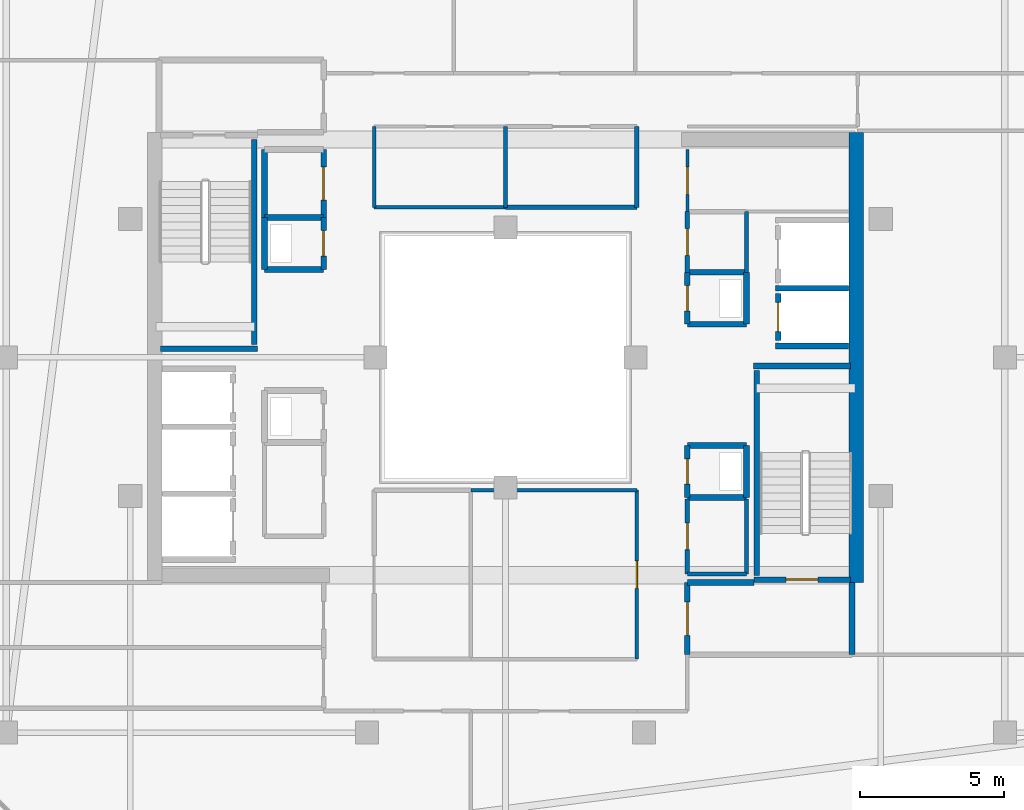
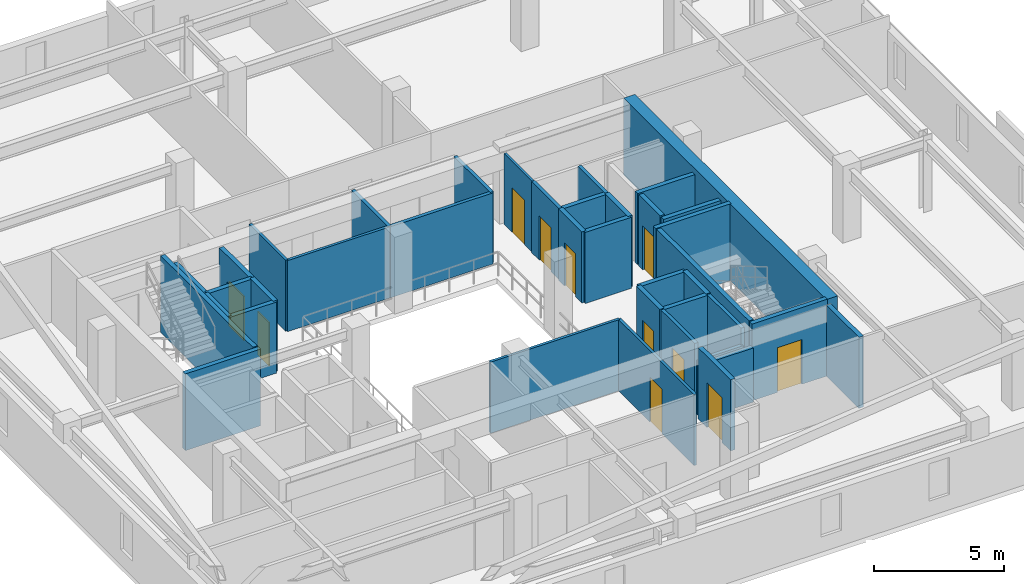
# One storey, part 26 of 35: 39 walls, 11 doors, 11 openings.
"""IFC4 building model written with IfcOpenShell, lengths in metres."""

from ifc_helpers import new_model, si_unit, direction, frame, frame_2d, origin, place, context, subcontext, project, spatial, rectangle, extrude, material, layer, layer_set, type_object, element, fill, save


model = new_model("IFC4")

# Units and contexts
model_context = context("Model", 3, precision=1e-05, world=origin(), true_north=direction((0.0, 1.0)))
body_context = subcontext(model_context, "Body", "Model", "MODEL_VIEW")
ifc_project = project(units=[si_unit("LENGTHUNIT", "METRE"), si_unit("AREAUNIT", "SQUARE_METRE"), si_unit("VOLUMEUNIT", "CUBIC_METRE"), si_unit("PLANEANGLEUNIT", "RADIAN"), si_unit("MASSUNIT", "GRAM", prefix="KILO")], contexts=[model_context])

# Site, building, storey
site_placement = place(None, origin())
site = spatial("IfcSite", under=ifc_project, at=site_placement, CompositionType="ELEMENT")
building_placement = place(site_placement, origin())
building = spatial("IfcBuilding", under=site, at=building_placement, Name="Thornwick Lancets Civic Towers", CompositionType="ELEMENT")
storey_placement = place(building_placement, frame((0.0, 0.0, 269.10009765625)))
storey = spatial("IfcBuildingStorey", under=building, at=storey_placement, Name="L72", CompositionType="ELEMENT", Elevation=269.10009765625)

# Wall, opening, door
ifc_material_1 = material(Name="Concrete blockwork C40/50", Category="masonry")
ifc_layer_1 = layer(ifc_material_1, 0.199951171875, Name="Concrete blockwork C40/50")
ifc_layer_set_1 = layer_set([ifc_layer_1], Name="Concrete blockwork C40/50")
wall_type_1 = type_object("IfcWallType", Name="WALL_COMP_200", PredefinedType="STANDARD", material=ifc_layer_set_1)
wall_1_placement = place(storey_placement, frame((97.949951171875, 29.219970703125, 0.0), z_axis=(0.0, 0.0, 1.0), x_axis=(0.0, -1.0, 0.0)))
wall_1 = element("IfcWall", 1, at=wall_1_placement, inside=storey, type_object=wall_type_1, Name="L72 Hoistway Front Wall FL-B1", PredefinedType="STANDARD", context=body_context, shape_type="SweptSolid", body=[
    extrude(rectangle(XDim=1.639892578125, YDim=0.199951171875, at=frame_2d((0.81982421875, 0.0))), origin(), (0.0, 0.0, 1.0), 3.33984375),
])
opening_1_placement = place(wall_1_placement, frame((0.31005859375, 0.0, 0.0)))
opening_1 = element("IfcOpeningElement", 2, at=opening_1_placement, cuts=wall_1, Name="Opening LD-FL-B1", PredefinedType="OPENING", context=body_context, shape_type="SweptSolid", body=[
    extrude(rectangle(XDim=1.02001953125, YDim=2.06005859375, at=frame_2d((0.510009765625, 1.030029296875))), frame((0.0, 0.10986328125, 0.0), z_axis=(0.0, -1.0, 0.0), x_axis=(1.0, 0.0, 0.0)), (0.0, 0.0, 1.0), 0.219970703125),
])
ifc_material_2 = material(Name="Brushed bronze stainless steel", Category="steel")
door_type_1 = type_object("IfcDoorType", Name="DOOR_LIFT_SLIDE", OperationType="SLIDING_TO_LEFT", PredefinedType="DOOR", material=ifc_material_2)
door_1_placement = place(opening_1_placement, origin())
door_1 = element("IfcDoor", 3, at=door_1_placement, inside=storey, type_object=door_type_1, Name="L72 Sliding Lift Landing Door LD-FL-B1", OperationType="SLIDING_TO_LEFT", OverallHeight=2.06005859375, OverallWidth=1.02001953125, PredefinedType="DOOR", context=body_context, shape_type="SweptSolid", body=[
    extrude(rectangle(XDim=1.02001953125, YDim=2.06005859375, at=frame_2d((0.510009765625, 1.030029296875))), frame((0.0, 0.02490234375, 0.0), z_axis=(0.0, -1.0, 0.0), x_axis=(1.0, 0.0, 0.0)), (0.0, 0.0, 1.0), 0.050048828125),
])
fill(opening_1, door_1)

# Walls
for number, where, z_axis, x_axis, name in (
    (4, (97.85205078125, 29.39990234375, 0.0), (0.0, 0.0, 1.0), (1.0, 0.0, 0.0), "L72 Hoistway Shaft Wall FL-B1 N"),
    (5, (97.85205078125, 27.39990234375, 0.0), (0.0, 0.0, 1.0), (1.0, 0.0, 0.0), "L72 Hoistway Shaft Wall FL-B1 S"),
):
    element("IfcWall", number, at=place(storey_placement, frame(where, z_axis=z_axis, x_axis=x_axis)), inside=storey, type_object=wall_type_1, Name=name, PredefinedType="STANDARD", context=body_context, shape_type="SweptSolid", body=[
        extrude(rectangle(XDim=2.535888671875, YDim=0.199951171875, at=frame_2d((1.26806640625, 0.0))), origin(), (0.0, 0.0, 1.0), 3.33984375),
    ])
wall_2_placement = place(storey_placement, frame((100.5, 16.699951171875, 0.0), z_axis=(0.0, 0.0, 1.0), x_axis=(0.0, 1.0, 0.0)))
element("IfcWall", 6, at=wall_2_placement, inside=storey, type_object=wall_type_1, Name="L72 Partition L72-B-FFLOB1 E2", PredefinedType="STANDARD", context=body_context, shape_type="SweptSolid", body=[
    extrude(rectangle(XDim=2.5, YDim=0.199951171875, at=frame_2d((1.25, 0.0))), origin(), (0.0, 0.0, 1.0), 3.33984375),
])
wall_3_placement = place(storey_placement, frame((97.10009765625, 19.199951171875, 0.0), z_axis=(0.0, 0.0, 1.0), x_axis=(-1.0, 0.0, 0.0)))
element("IfcWall", 7, at=wall_3_placement, inside=storey, type_object=wall_type_1, Name="L72 Partition L72-B-FFLOB1 E3", PredefinedType="STANDARD", context=body_context, shape_type="SweptSolid", body=[
    extrude(rectangle(XDim=2.300048828125, YDim=0.199951171875, at=frame_2d((1.14990234375, 0.0))), origin(), (0.0, 0.0, 1.0), 2.544921875),
])

# Wall, opening, door
wall_4_placement = place(storey_placement, frame((94.800048828125, 19.199951171875, 0.0), z_axis=(0.0, 0.0, 1.0), x_axis=(0.0, -1.0, 0.0)))
wall_4 = element("IfcWall", 8, at=wall_4_placement, inside=storey, type_object=wall_type_1, Name="L72 Partition L72-B-FFLOB1 E4", PredefinedType="STANDARD", context=body_context, shape_type="SweptSolid", body=[
    extrude(rectangle(XDim=2.5, YDim=0.199951171875, at=frame_2d((1.25, 0.0))), origin(), (0.0, 0.0, 1.0), 3.33984375),
])
opening_2_placement = place(wall_4_placement, frame((0.675048828125, 0.0, 0.0)))
opening_2 = element("IfcOpeningElement", 9, at=opening_2_placement, cuts=wall_4, Name="Opening D-L72-3288", PredefinedType="OPENING", context=body_context, shape_type="SweptSolid", body=[
    extrude(rectangle(XDim=1.14990234375, YDim=2.10009765625, at=frame_2d((0.574951171875, 1.050048828125))), frame((0.0, 0.10986328125, 0.0), z_axis=(0.0, -1.0, 0.0), x_axis=(1.0, 0.0, 0.0)), (0.0, 0.0, 1.0), 0.219970703125),
])
ifc_material_3 = material(Name="Glazed fire-resisting steel", Category="steel")
door_type_2 = type_object("IfcDoorType", Name="DOOR_LOBBY_FD60", OperationType="NOTDEFINED", PredefinedType="DOOR", material=ifc_material_3)
door_2_placement = place(opening_2_placement, origin())
door_2 = element("IfcDoor", 10, at=door_2_placement, inside=storey, type_object=door_type_2, Name="L72 East Firefighting Lobby 1 Door", OperationType="SINGLE_SWING_LEFT", OverallHeight=2.10009765625, OverallWidth=1.14990234375, PredefinedType="DOOR", context=body_context, shape_type="SweptSolid", body=[
    extrude(rectangle(XDim=1.14990234375, YDim=2.10009765625, at=frame_2d((0.574951171875, 1.050048828125))), frame((0.0, 0.02490234375, 0.0), z_axis=(0.0, -1.0, 0.0), x_axis=(1.0, 0.0, 0.0)), (0.0, 0.0, 1.0), 0.050048828125),
])
fill(opening_2, door_2)

# Walls
wall_5_placement = place(storey_placement, frame((94.800048828125, 28.14990234375, 0.0), z_axis=(0.0, 0.0, 1.0), x_axis=(1.0, 0.0, 0.0)))
element("IfcWall", 11, at=wall_5_placement, inside=storey, type_object=wall_type_1, Name="L72 Partition L72-B-DUCT1 E1", PredefinedType="STANDARD", context=body_context, shape_type="SweptSolid", body=[
    extrude(rectangle(XDim=2.050048828125, YDim=0.199951171875, at=frame_2d((1.02490234375, 0.0))), origin(), (0.0, 0.0, 1.0), 3.33984375),
])
wall_6_placement = place(storey_placement, frame((96.85009765625, 28.14990234375, 0.0), z_axis=(0.0, 0.0, 1.0), x_axis=(0.0, 1.0, 0.0)))
element("IfcWall", 12, at=wall_6_placement, inside=storey, type_object=wall_type_1, Name="L72 Partition L72-B-DUCT1 E2", PredefinedType="STANDARD", context=body_context, shape_type="SweptSolid", body=[
    extrude(rectangle(XDim=1.800048828125, YDim=0.199951171875, at=frame_2d((0.89990234375, 0.0))), origin(), (0.0, 0.0, 1.0), 3.33984375),
])
wall_7_placement = place(storey_placement, frame((96.85009765625, 29.949951171875, 0.0), z_axis=(0.0, 0.0, 1.0), x_axis=(-1.0, 0.0, 0.0)))
element("IfcWall", 13, at=wall_7_placement, inside=storey, type_object=wall_type_1, Name="L72 Partition L72-B-DUCT1 E3", PredefinedType="STANDARD", context=body_context, shape_type="SweptSolid", body=[
    extrude(rectangle(XDim=2.050048828125, YDim=0.199951171875, at=frame_2d((1.02490234375, 0.0))), origin(), (0.0, 0.0, 1.0), 3.33984375),
])

# Wall, opening, door
wall_8_placement = place(storey_placement, frame((94.800048828125, 29.949951171875, 0.0), z_axis=(0.0, 0.0, 1.0), x_axis=(0.0, -1.0, 0.0)))
wall_8 = element("IfcWall", 14, at=wall_8_placement, inside=storey, type_object=wall_type_1, Name="L72 Partition L72-B-DUCT1 E4", PredefinedType="STANDARD", context=body_context, shape_type="SweptSolid", body=[
    extrude(rectangle(XDim=1.800048828125, YDim=0.199951171875, at=frame_2d((0.89990234375, 0.0))), origin(), (0.0, 0.0, 1.0), 3.33984375),
])
opening_3_placement = place(wall_8_placement, frame((0.4599609375, 0.0, 0.0)))
opening_3 = element("IfcOpeningElement", 15, at=opening_3_placement, cuts=wall_8, Name="Opening D-L72-3290", PredefinedType="OPENING", context=body_context, shape_type="SweptSolid", body=[
    extrude(rectangle(XDim=0.8798828125, YDim=2.0400390625, at=frame_2d((0.43994140625, 1.02001953125))), frame((0.0, 0.10986328125, 0.0), z_axis=(0.0, -1.0, 0.0), x_axis=(1.0, 0.0, 0.0)), (0.0, 0.0, 1.0), 0.219970703125),
])
ifc_material_4 = material(Name="Steel riser access doorset", Category="steel")
door_type_3 = type_object("IfcDoorType", Name="DOOR_RISER_850", OperationType="NOTDEFINED", PredefinedType="DOOR", material=ifc_material_4)
door_3_placement = place(opening_3_placement, origin())
door_3 = element("IfcDoor", 16, at=door_3_placement, inside=storey, type_object=door_type_3, Name="L72 East Service Duct 1 Door", OperationType="SINGLE_SWING_LEFT", OverallHeight=2.0400390625, OverallWidth=0.8798828125, PredefinedType="DOOR", context=body_context, shape_type="SweptSolid", body=[
    extrude(rectangle(XDim=0.8798828125, YDim=2.0400390625, at=frame_2d((0.43994140625, 1.02001953125))), frame((0.0, 0.02490234375, 0.0), z_axis=(0.0, -1.0, 0.0), x_axis=(1.0, 0.0, 0.0)), (0.0, 0.0, 1.0), 0.050048828125),
])
fill(opening_3, door_3)

# Walls
wall_9_placement = place(storey_placement, frame((94.800048828125, 22.14990234375, 0.0), z_axis=(0.0, 0.0, 1.0), x_axis=(1.0, 0.0, 0.0)))
element("IfcWall", 17, at=wall_9_placement, inside=storey, type_object=wall_type_1, Name="L72 Partition L72-B-RISER1 E1", PredefinedType="STANDARD", context=body_context, shape_type="SweptSolid", body=[
    extrude(rectangle(XDim=2.050048828125, YDim=0.199951171875, at=frame_2d((1.02490234375, 0.0))), origin(), (0.0, 0.0, 1.0), 3.33984375),
])
wall_10_placement = place(storey_placement, frame((96.85009765625, 22.14990234375, 0.0), z_axis=(0.0, 0.0, 1.0), x_axis=(0.0, 1.0, 0.0)))
element("IfcWall", 18, at=wall_10_placement, inside=storey, type_object=wall_type_1, Name="L72 Partition L72-B-RISER1 E2", PredefinedType="STANDARD", context=body_context, shape_type="SweptSolid", body=[
    extrude(rectangle(XDim=1.800048828125, YDim=0.199951171875, at=frame_2d((0.89990234375, 0.0))), origin(), (0.0, 0.0, 1.0), 3.33984375),
])
wall_11_placement = place(storey_placement, frame((96.85009765625, 23.949951171875, 0.0), z_axis=(0.0, 0.0, 1.0), x_axis=(-1.0, 0.0, 0.0)))
element("IfcWall", 19, at=wall_11_placement, inside=storey, type_object=wall_type_1, Name="L72 Partition L72-B-RISER1 E3", PredefinedType="STANDARD", context=body_context, shape_type="SweptSolid", body=[
    extrude(rectangle(XDim=2.050048828125, YDim=0.199951171875, at=frame_2d((1.02490234375, 0.0))), origin(), (0.0, 0.0, 1.0), 3.33984375),
])

# Wall, opening, door
wall_12_placement = place(storey_placement, frame((94.800048828125, 23.949951171875, 0.0), z_axis=(0.0, 0.0, 1.0), x_axis=(0.0, -1.0, 0.0)))
wall_12 = element("IfcWall", 20, at=wall_12_placement, inside=storey, type_object=wall_type_1, Name="L72 Partition L72-B-RISER1 E4", PredefinedType="STANDARD", context=body_context, shape_type="SweptSolid", body=[
    extrude(rectangle(XDim=1.800048828125, YDim=0.199951171875, at=frame_2d((0.89990234375, 0.0))), origin(), (0.0, 0.0, 1.0), 3.33984375),
])
opening_4_placement = place(wall_12_placement, frame((0.4599609375, 0.0, 0.0)))
opening_4 = element("IfcOpeningElement", 21, at=opening_4_placement, cuts=wall_12, Name="Opening D-L72-3291", PredefinedType="OPENING", context=body_context, shape_type="SweptSolid", body=[
    extrude(rectangle(XDim=0.8798828125, YDim=2.0400390625, at=frame_2d((0.43994140625, 1.02001953125))), frame((0.0, 0.10986328125, 0.0), z_axis=(0.0, -1.0, 0.0), x_axis=(1.0, 0.0, 0.0)), (0.0, 0.0, 1.0), 0.219970703125),
])
door_4_placement = place(opening_4_placement, origin())
door_4 = element("IfcDoor", 22, at=door_4_placement, inside=storey, type_object=door_type_3, Name="L72 East Electrical Riser 1 Door", OperationType="SINGLE_SWING_RIGHT", OverallHeight=2.0400390625, OverallWidth=0.8798828125, PredefinedType="DOOR", context=body_context, shape_type="SweptSolid", body=[
    extrude(rectangle(XDim=0.8798828125, YDim=2.0400390625, at=frame_2d((0.43994140625, 1.02001953125))), frame((0.0, 0.02490234375, 0.0), z_axis=(0.0, -1.0, 0.0), x_axis=(1.0, 0.0, 0.0)), (0.0, 0.0, 1.0), 0.050048828125),
])
fill(opening_4, door_4)

# Wall
wall_13_placement = place(storey_placement, frame((80.14990234375, 30.050048828125, 0.0), z_axis=(0.0, 0.0, 1.0), x_axis=(1.0, 0.0, 0.0)))
element("IfcWall", 23, at=wall_13_placement, inside=storey, type_object=wall_type_1, Name="L72 Partition L72-B-RISER2 E1", PredefinedType="STANDARD", context=body_context, shape_type="SweptSolid", body=[
    extrude(rectangle(XDim=2.050048828125, YDim=0.199951171875, at=frame_2d((1.02490234375, 0.0))), origin(), (0.0, 0.0, 1.0), 3.33984375),
])

# Wall, opening, door
wall_14_placement = place(storey_placement, frame((82.199951171875, 30.050048828125, 0.0), z_axis=(0.0, 0.0, 1.0), x_axis=(0.0, 1.0, 0.0)))
wall_14 = element("IfcWall", 24, at=wall_14_placement, inside=storey, type_object=wall_type_1, Name="L72 Partition L72-B-RISER2 E2", PredefinedType="STANDARD", context=body_context, shape_type="SweptSolid", body=[
    extrude(rectangle(XDim=1.800048828125, YDim=0.199951171875, at=frame_2d((0.89990234375, 0.0))), origin(), (0.0, 0.0, 1.0), 3.33984375),
])
opening_5_placement = place(wall_14_placement, frame((0.4599609375, 0.0, 0.0)))
opening_5 = element("IfcOpeningElement", 25, at=opening_5_placement, cuts=wall_14, Name="Opening D-L72-3293", PredefinedType="OPENING", context=body_context, shape_type="SweptSolid", body=[
    extrude(rectangle(XDim=0.8798828125, YDim=2.0400390625, at=frame_2d((0.43994140625, 1.02001953125))), frame((0.0, 0.10986328125, 0.0), z_axis=(0.0, -1.0, 0.0), x_axis=(1.0, 0.0, 0.0)), (0.0, 0.0, 1.0), 0.219970703125),
])
door_5_placement = place(opening_5_placement, origin())
door_5 = element("IfcDoor", 26, at=door_5_placement, inside=storey, type_object=door_type_3, Name="L72 West Service Riser 2 Door", OperationType="SINGLE_SWING_RIGHT", OverallHeight=2.0400390625, OverallWidth=0.8798828125, PredefinedType="DOOR", context=body_context, shape_type="SweptSolid", body=[
    extrude(rectangle(XDim=0.8798828125, YDim=2.0400390625, at=frame_2d((0.43994140625, 1.02001953125))), frame((0.0, 0.02490234375, 0.0), z_axis=(0.0, -1.0, 0.0), x_axis=(1.0, 0.0, 0.0)), (0.0, 0.0, 1.0), 0.050048828125),
])
fill(opening_5, door_5)

# Walls
wall_15_placement = place(storey_placement, frame((82.199951171875, 31.85009765625, 0.0), z_axis=(0.0, 0.0, 1.0), x_axis=(-1.0, 0.0, 0.0)))
element("IfcWall", 27, at=wall_15_placement, inside=storey, type_object=wall_type_1, Name="L72 Partition L72-B-RISER2 E3", PredefinedType="STANDARD", context=body_context, shape_type="SweptSolid", body=[
    extrude(rectangle(XDim=2.050048828125, YDim=0.199951171875, at=frame_2d((1.02490234375, 0.0))), origin(), (0.0, 0.0, 1.0), 3.33984375),
])
wall_16_placement = place(storey_placement, frame((80.14990234375, 31.85009765625, 0.0), z_axis=(0.0, 0.0, 1.0), x_axis=(0.0, -1.0, 0.0)))
element("IfcWall", 28, at=wall_16_placement, inside=storey, type_object=wall_type_1, Name="L72 Partition L72-B-RISER2 E4", PredefinedType="STANDARD", context=body_context, shape_type="SweptSolid", body=[
    extrude(rectangle(XDim=1.800048828125, YDim=0.199951171875, at=frame_2d((0.89990234375, 0.0))), origin(), (0.0, 0.0, 1.0), 3.33984375),
])
wall_17_placement = place(storey_placement, frame((80.14990234375, 31.85009765625, 0.0), z_axis=(0.0, 0.0, 1.0), x_axis=(0.0, 1.0, 0.0)))
element("IfcWall", 29, at=wall_17_placement, inside=storey, type_object=wall_type_1, Name="L72 Partition L72-B-STR E1", PredefinedType="STANDARD", context=body_context, shape_type="SweptSolid", body=[
    extrude(rectangle(XDim=2.349853515625, YDim=0.199951171875, at=frame_2d((1.1748046875, 0.0))), origin(), (0.0, 0.0, 1.0), 3.33984375),
])

# Wall, opening, door
wall_18_placement = place(storey_placement, frame((82.199951171875, 34.199951171875, 0.0), z_axis=(0.0, 0.0, 1.0), x_axis=(0.0, -1.0, 0.0)))
wall_18 = element("IfcWall", 30, at=wall_18_placement, inside=storey, type_object=wall_type_1, Name="L72 Partition L72-B-STR E3", PredefinedType="STANDARD", context=body_context, shape_type="SweptSolid", body=[
    extrude(rectangle(XDim=2.349853515625, YDim=0.199951171875, at=frame_2d((1.1748046875, 0.0))), origin(), (0.0, 0.0, 1.0), 3.33984375),
])
opening_6_placement = place(wall_18_placement, frame((0.60009765625, 0.0, 0.0)))
opening_6 = element("IfcOpeningElement", 31, at=opening_6_placement, cuts=wall_18, Name="Opening D-L72-3298", PredefinedType="OPENING", context=body_context, shape_type="SweptSolid", body=[
    extrude(rectangle(XDim=1.14990234375, YDim=2.10009765625, at=frame_2d((0.574951171875, 1.050048828125))), frame((0.0, 0.10986328125, 0.0), z_axis=(0.0, -1.0, 0.0), x_axis=(1.0, 0.0, 0.0)), (0.0, 0.0, 1.0), 0.219970703125),
])
door_6_placement = place(opening_6_placement, origin())
door_6 = element("IfcDoor", 32, at=door_6_placement, inside=storey, type_object=door_type_2, Name="L72 Tower B Core Equipment Store Door", OperationType="SINGLE_SWING_LEFT", OverallHeight=2.10009765625, OverallWidth=1.14990234375, PredefinedType="DOOR", context=body_context, shape_type="SweptSolid", body=[
    extrude(rectangle(XDim=1.14990234375, YDim=2.10009765625, at=frame_2d((0.574951171875, 1.050048828125))), frame((0.0, 0.02490234375, 0.0), z_axis=(0.0, -1.0, 0.0), x_axis=(1.0, 0.0, 0.0)), (0.0, 0.0, 1.0), 0.050048828125),
])
fill(opening_6, door_6)

# Wall
ifc_material_5 = material(Name="Concrete C50/60", Category="concrete")
ifc_layer_2 = layer(ifc_material_5, 0.5, Name="Concrete C50/60")
ifc_layer_set_2 = layer_set([ifc_layer_2], Name="Concrete C50/60")
wall_type_2 = type_object("IfcWallType", Name="WALL_CORE_500", PredefinedType="SHEAR", material=ifc_layer_set_2)
wall_19_placement = place(storey_placement, frame((100.64990234375, 19.199951171875, 0.0), z_axis=(0.0, 0.0, 1.0), x_axis=(0.0, 1.0, 0.0)))
element("IfcWall", 33, at=wall_19_placement, inside=storey, type_object=wall_type_2, Name="L72 Split Core B1 Shear Wall E", PredefinedType="SHEAR", context=body_context, shape_type="SweptSolid", body=[
    extrude(rectangle(XDim=15.60009765625, YDim=0.5, at=frame_2d((7.800048828125, 0.0))), origin(), (0.0, 0.0, 1.0), 3.599853515625),
])

# Wall, opening, door
ifc_material_6 = material(Name="Lightweight cellular office partition")
ifc_layer_3 = layer(ifc_material_6, 0.10009765625, Name="Lightweight cellular office partition")
ifc_layer_set_3 = layer_set([ifc_layer_3], Name="Lightweight cellular office partition")
wall_type_3 = type_object("IfcWallType", Name="WALL_PART_100", PredefinedType="PARTITIONING", material=ifc_layer_set_3)
wall_20_placement = place(storey_placement, frame((94.800048828125, 32.050048828125, 0.0), z_axis=(0.0, 0.0, 1.0), x_axis=(0.0, 1.0, 0.0)))
wall_20 = element("IfcWall", 34, at=wall_20_placement, inside=storey, type_object=wall_type_3, Name="L72 Partition L72-B-CLN E1", PredefinedType="PARTITIONING", context=body_context, shape_type="SweptSolid", body=[
    extrude(rectangle(XDim=2.14990234375, YDim=0.10009765625, at=frame_2d((1.074951171875, 0.0))), origin(), (0.0, 0.0, 1.0), 3.33984375),
])
opening_7_placement = place(wall_20_placement, frame((0.60009765625, 0.0, 0.0)))
opening_7 = element("IfcOpeningElement", 35, at=opening_7_placement, cuts=wall_20, Name="Opening D-L72-3296", PredefinedType="OPENING", context=body_context, shape_type="SweptSolid", body=[
    extrude(rectangle(XDim=0.949951171875, YDim=2.10009765625, at=frame_2d((0.47509765625, 1.050048828125))), frame((0.0, 0.06005859375, 0.0), z_axis=(0.0, -1.0, 0.0), x_axis=(1.0, 0.0, 0.0)), (0.0, 0.0, 1.0), 0.1201171875),
])
ifc_material_7 = material(Name="European oak acoustic doorset")
door_type_4 = type_object("IfcDoorType", Name="DOOR_OFFICE_950", OperationType="NOTDEFINED", PredefinedType="DOOR", material=ifc_material_7)
door_7_placement = place(opening_7_placement, origin())
door_7 = element("IfcDoor", 36, at=door_7_placement, inside=storey, type_object=door_type_4, Name="L72 Tower B Cleaners Store Door", OperationType="SINGLE_SWING_LEFT", OverallHeight=2.10009765625, OverallWidth=0.949951171875, PredefinedType="DOOR", context=body_context, shape_type="SweptSolid", body=[
    extrude(rectangle(XDim=0.949951171875, YDim=2.10009765625, at=frame_2d((0.47509765625, 1.050048828125))), frame((0.0, 0.02490234375, 0.0), z_axis=(0.0, -1.0, 0.0), x_axis=(1.0, 0.0, 0.0)), (0.0, 0.0, 1.0), 0.050048828125),
])
fill(opening_7, door_7)

# Wall
ifc_material_8 = material(Name="Acoustic gypsum board partition")
ifc_layer_4 = layer(ifc_material_8, 0.1201171875, Name="Acoustic gypsum board partition")
ifc_layer_set_4 = layer_set([ifc_layer_4], Name="Acoustic gypsum board partition")
wall_type_4 = type_object("IfcWallType", Name="WALL_PART_120", PredefinedType="PARTITIONING", material=ifc_layer_set_4)
wall_21_placement = place(storey_placement, frame((87.300048828125, 22.39990234375, 0.0), z_axis=(0.0, 0.0, 1.0), x_axis=(1.0, 0.0, 0.0)))
element("IfcWall", 37, at=wall_21_placement, inside=storey, type_object=wall_type_4, Name="L72 Partition L72-B-W3 E2", PredefinedType="PARTITIONING", context=body_context, shape_type="SweptSolid", body=[
    extrude(rectangle(XDim=5.75, YDim=0.1201171875, at=frame_2d((2.875, 0.0))), origin(), (0.0, 0.0, 1.0), 3.33984375),
])

# Wall, opening, door
wall_22_placement = place(storey_placement, frame((93.050048828125, 22.39990234375, 0.0), z_axis=(0.0, 0.0, 1.0), x_axis=(0.0, -1.0, 0.0)))
wall_22 = element("IfcWall", 38, at=wall_22_placement, inside=storey, type_object=wall_type_4, Name="L72 Partition L72-B-W3 E3", PredefinedType="PARTITIONING", context=body_context, shape_type="SweptSolid", body=[
    extrude(rectangle(XDim=5.849853515625, YDim=0.1201171875, at=frame_2d((2.9248046875, 0.0))), origin(), (0.0, 0.0, 1.0), 3.33984375),
])
opening_8_placement = place(wall_22_placement, frame((2.449951171875, 0.0, 0.0)))
opening_8 = element("IfcOpeningElement", 39, at=opening_8_placement, cuts=wall_22, Name="Opening D-L72-3316", PredefinedType="OPENING", context=body_context, shape_type="SweptSolid", body=[
    extrude(rectangle(XDim=0.949951171875, YDim=2.10009765625, at=frame_2d((0.47509765625, 1.050048828125))), frame((0.0, 0.070068359375, 0.0), z_axis=(0.0, -1.0, 0.0), x_axis=(1.0, 0.0, 0.0)), (0.0, 0.0, 1.0), 0.14013671875),
])
door_8_placement = place(opening_8_placement, origin())
door_8 = element("IfcDoor", 40, at=door_8_placement, inside=storey, type_object=door_type_4, Name="L72 Tower B Staff Tea Pantry and Lounge Door", OperationType="SINGLE_SWING_LEFT", OverallHeight=2.10009765625, OverallWidth=0.949951171875, PredefinedType="DOOR", context=body_context, shape_type="SweptSolid", body=[
    extrude(rectangle(XDim=0.949951171875, YDim=2.10009765625, at=frame_2d((0.47509765625, 1.050048828125))), frame((0.0, 0.02490234375, 0.0), z_axis=(0.0, -1.0, 0.0), x_axis=(1.0, 0.0, 0.0)), (0.0, 0.0, 1.0), 0.050048828125),
])
fill(opening_8, door_8)

# Walls
wall_23_placement = place(storey_placement, frame((83.949951171875, 32.199951171875, 0.0), z_axis=(0.0, 0.0, 1.0), x_axis=(0.0, 1.0, 0.0)))
element("IfcWall", 41, at=wall_23_placement, inside=storey, type_object=wall_type_4, Name="L72 Partition L72-B-E-ATR-2 E1", PredefinedType="PARTITIONING", context=body_context, shape_type="SweptSolid", body=[
    extrude(rectangle(XDim=2.800048828125, YDim=0.1201171875, at=frame_2d((1.39990234375, 0.0))), origin(), (0.0, 0.0, 1.0), 3.33984375),
])
wall_24_placement = place(storey_placement, frame((88.5, 32.199951171875, 0.0), z_axis=(0.0, 0.0, 1.0), x_axis=(-1.0, 0.0, 0.0)))
element("IfcWall", 42, at=wall_24_placement, inside=storey, type_object=wall_type_4, Name="L72 Partition L72-B-E-ATR-2 E4", PredefinedType="PARTITIONING", context=body_context, shape_type="SweptSolid", body=[
    extrude(rectangle(XDim=4.550048828125, YDim=0.1201171875, at=frame_2d((2.27490234375, 0.0))), origin(), (0.0, 0.0, 1.0), 3.33984375),
])
ifc_material_9 = material(Name="Twin-stud acoustic gypsum board")
ifc_layer_5 = layer(ifc_material_9, 0.14990234375, Name="Twin-stud acoustic gypsum board")
ifc_layer_set_5 = layer_set([ifc_layer_5], Name="Twin-stud acoustic gypsum board")
wall_type_5 = type_object("IfcWallType", Name="WALL_PART_150", PredefinedType="PARTITIONING", material=ifc_layer_set_5)
wall_25_placement = place(storey_placement, frame((94.800048828125, 19.5, 0.0), z_axis=(0.0, 0.0, 1.0), x_axis=(1.0, 0.0, 0.0)))
element("IfcWall", 43, at=wall_25_placement, inside=storey, type_object=wall_type_5, Name="L72 Partition L72-B-AWC E1", PredefinedType="PARTITIONING", context=body_context, shape_type="SweptSolid", body=[
    extrude(rectangle(XDim=2.050048828125, YDim=0.14990234375, at=frame_2d((1.02490234375, 0.0))), origin(), (0.0, 0.0, 1.0), 2.544921875),
])
wall_26_placement = place(storey_placement, frame((96.85009765625, 19.5, 0.0), z_axis=(0.0, 0.0, 1.0), x_axis=(0.0, 1.0, 0.0)))
element("IfcWall", 44, at=wall_26_placement, inside=storey, type_object=wall_type_5, Name="L72 Partition L72-B-AWC E2", PredefinedType="PARTITIONING", context=body_context, shape_type="SweptSolid", body=[
    extrude(rectangle(XDim=2.60009765625, YDim=0.14990234375, at=frame_2d((1.300048828125, 0.0))), origin(), (0.0, 0.0, 1.0), 3.33984375),
])

# Wall, opening, door
wall_27_placement = place(storey_placement, frame((94.800048828125, 22.10009765625, 0.0), z_axis=(0.0, 0.0, 1.0), x_axis=(0.0, -1.0, 0.0)))
wall_27 = element("IfcWall", 45, at=wall_27_placement, inside=storey, type_object=wall_type_5, Name="L72 Partition L72-B-AWC E4", PredefinedType="PARTITIONING", context=body_context, shape_type="SweptSolid", body=[
    extrude(rectangle(XDim=2.60009765625, YDim=0.14990234375, at=frame_2d((1.300048828125, 0.0))), origin(), (0.0, 0.0, 1.0), 3.33984375),
])
opening_9_placement = place(wall_27_placement, frame((0.840087890625, 0.0, 0.0)))
opening_9 = element("IfcOpeningElement", 46, at=opening_9_placement, cuts=wall_27, Name="Opening D-L72-3294", PredefinedType="OPENING", context=body_context, shape_type="SweptSolid", body=[
    extrude(rectangle(XDim=0.919921875, YDim=2.080078125, at=frame_2d((0.4599609375, 1.0400390625))), frame((0.0, 0.0849609375, 0.0), z_axis=(0.0, -1.0, 0.0), x_axis=(1.0, 0.0, 0.0)), (0.0, 0.0, 1.0), 0.169921875),
])
ifc_material_10 = material(Name="Moisture-resistant oak doorset")
door_type_5 = type_object("IfcDoorType", Name="DOOR_WC_900", OperationType="NOTDEFINED", PredefinedType="DOOR", material=ifc_material_10)
door_9_placement = place(opening_9_placement, origin())
door_9 = element("IfcDoor", 47, at=door_9_placement, inside=storey, type_object=door_type_5, Name="L72 Tower B Accessible WC Door", OperationType="SINGLE_SWING_LEFT", OverallHeight=2.080078125, OverallWidth=0.919921875, PredefinedType="DOOR", context=body_context, shape_type="SweptSolid", body=[
    extrude(rectangle(XDim=0.919921875, YDim=2.080078125, at=frame_2d((0.4599609375, 1.0400390625))), frame((0.0, 0.02490234375, 0.0), z_axis=(0.0, -1.0, 0.0), x_axis=(1.0, 0.0, 0.0)), (0.0, 0.0, 1.0), 0.050048828125),
])
fill(opening_9, door_9)

wall_28_placement = place(storey_placement, frame((94.800048828125, 29.949951171875, 0.0), z_axis=(0.0, 0.0, 1.0), x_axis=(0.0, 1.0, 0.0)))
wall_28 = element("IfcWall", 48, at=wall_28_placement, inside=storey, type_object=wall_type_5, Name="L72 Partition L72-B-MWC E1", PredefinedType="PARTITIONING", context=body_context, shape_type="SweptSolid", body=[
    extrude(rectangle(XDim=2.10009765625, YDim=0.14990234375, at=frame_2d((1.050048828125, 0.0))), origin(), (0.0, 0.0, 1.0), 3.33984375),
])
opening_10_placement = place(wall_28_placement, frame((0.590087890625, 0.0, 0.0)))
opening_10 = element("IfcOpeningElement", 49, at=opening_10_placement, cuts=wall_28, Name="Opening D-L72-3295", PredefinedType="OPENING", context=body_context, shape_type="SweptSolid", body=[
    extrude(rectangle(XDim=0.919921875, YDim=2.080078125, at=frame_2d((0.4599609375, 1.0400390625))), frame((0.0, 0.0849609375, 0.0), z_axis=(0.0, -1.0, 0.0), x_axis=(1.0, 0.0, 0.0)), (0.0, 0.0, 1.0), 0.169921875),
])
door_10_placement = place(opening_10_placement, origin())
door_10 = element("IfcDoor", 50, at=door_10_placement, inside=storey, type_object=door_type_5, Name="L72 Tower B Male WC Door", OperationType="SINGLE_SWING_RIGHT", OverallHeight=2.080078125, OverallWidth=0.919921875, PredefinedType="DOOR", context=body_context, shape_type="SweptSolid", body=[
    extrude(rectangle(XDim=0.919921875, YDim=2.080078125, at=frame_2d((0.4599609375, 1.0400390625))), frame((0.0, 0.02490234375, 0.0), z_axis=(0.0, -1.0, 0.0), x_axis=(1.0, 0.0, 0.0)), (0.0, 0.0, 1.0), 0.050048828125),
])
fill(opening_10, door_10)

# Walls
wall_29_placement = place(storey_placement, frame((96.85009765625, 32.050048828125, 0.0), z_axis=(0.0, 0.0, 1.0), x_axis=(0.0, -1.0, 0.0)))
element("IfcWall", 51, at=wall_29_placement, inside=storey, type_object=wall_type_5, Name="L72 Partition L72-B-MWC E3", PredefinedType="PARTITIONING", context=body_context, shape_type="SweptSolid", body=[
    extrude(rectangle(XDim=2.10009765625, YDim=0.14990234375, at=frame_2d((1.050048828125, 0.0))), origin(), (0.0, 0.0, 1.0), 3.33984375),
])
for number, where, z_axis, x_axis, name in (
    (52, (88.5, 32.199951171875, 0.0), (0.0, 0.0, 1.0), (0.0, 1.0, 0.0), "L72 Partition L72-B-E-ATR-1 E1"),
    (53, (93.050048828125, 35.0, 0.0), (0.0, 0.0, 1.0), (0.0, -1.0, 0.0), "L72 Partition L72-B-E-ATR-1 E3"),
):
    element("IfcWall", number, at=place(storey_placement, frame(where, z_axis=z_axis, x_axis=x_axis)), inside=storey, type_object=wall_type_5, Name=name, PredefinedType="PARTITIONING", context=body_context, shape_type="SweptSolid", body=[
        extrude(rectangle(XDim=2.800048828125, YDim=0.14990234375, at=frame_2d((1.39990234375, 0.0))), origin(), (0.0, 0.0, 1.0), 3.33984375),
    ])
wall_30_placement = place(storey_placement, frame((93.050048828125, 32.199951171875, 0.0), z_axis=(0.0, 0.0, 1.0), x_axis=(-1.0, 0.0, 0.0)))
element("IfcWall", 54, at=wall_30_placement, inside=storey, type_object=wall_type_5, Name="L72 Partition L72-B-E-ATR-1 E4", PredefinedType="PARTITIONING", context=body_context, shape_type="SweptSolid", body=[
    extrude(rectangle(XDim=4.550048828125, YDim=0.14990234375, at=frame_2d((2.27490234375, 0.0))), origin(), (0.0, 0.0, 1.0), 3.33984375),
])

# Wall, opening, door
ifc_material_11 = material(Name="Concrete C40/50", Category="concrete")
ifc_layer_6 = layer(ifc_material_11, 0.199951171875, Name="Concrete C40/50")
ifc_layer_set_6 = layer_set([ifc_layer_6], Name="Concrete C40/50")
wall_type_6 = type_object("IfcWallType", Name="WALL_SHAFT_200", PredefinedType="SHEAR", material=ifc_layer_set_6)
wall_31_placement = place(storey_placement, frame((100.449951171875, 19.300048828125, 0.0), z_axis=(0.0, 0.0, 1.0), x_axis=(-1.0, 0.0, 0.0)))
wall_31 = element("IfcWall", 55, at=wall_31_placement, inside=storey, type_object=wall_type_6, Name="L72 ST-B1 Fire Stair Core Wall NEAR", PredefinedType="SHEAR", context=body_context, shape_type="SweptSolid", body=[
    extrude(rectangle(XDim=3.349853515625, YDim=0.199951171875, at=frame_2d((1.6748046875, 0.0))), origin(), (0.0, 0.0, 1.0), 3.599853515625),
])
opening_11_placement = place(wall_31_placement, frame((1.125, 0.0, 0.0)))
opening_11 = element("IfcOpeningElement", 56, at=opening_11_placement, cuts=wall_31, Name="Opening D-ST-B1-L72", PredefinedType="OPENING", context=body_context, shape_type="SweptSolid", body=[
    extrude(rectangle(XDim=1.10009765625, YDim=2.10009765625, at=frame_2d((0.550048828125, 1.050048828125))), frame((0.0, 0.10986328125, 0.0), z_axis=(0.0, -1.0, 0.0), x_axis=(1.0, 0.0, 0.0)), (0.0, 0.0, 1.0), 0.219970703125),
])
ifc_material_12 = material(Name="Fire-resisting steel and hardwood", Category="steel")
door_type_6 = type_object("IfcDoorType", Name="DOOR_STAIR_FD60", OperationType="NOTDEFINED", PredefinedType="DOOR", material=ifc_material_12)
door_11_placement = place(opening_11_placement, origin())
door_11 = element("IfcDoor", 57, at=door_11_placement, inside=storey, type_object=door_type_6, Name="L72 ST-B1 Exit Stair Door", OperationType="SINGLE_SWING_RIGHT", OverallHeight=2.10009765625, OverallWidth=1.10009765625, PredefinedType="DOOR", context=body_context, shape_type="SweptSolid", body=[
    extrude(rectangle(XDim=1.10009765625, YDim=2.10009765625, at=frame_2d((0.550048828125, 1.050048828125))), frame((0.0, 0.02490234375, 0.0), z_axis=(0.0, -1.0, 0.0), x_axis=(1.0, 0.0, 0.0)), (0.0, 0.0, 1.0), 0.050048828125),
])
fill(opening_11, door_11)

# Walls
wall_32_placement = place(storey_placement, frame((97.10009765625, 26.699951171875, 0.0), z_axis=(0.0, 0.0, 1.0), x_axis=(1.0, 0.0, 0.0)))
element("IfcWall", 58, at=wall_32_placement, inside=storey, type_object=wall_type_6, Name="L72 ST-B1 Fire Stair Core Wall FAR", PredefinedType="SHEAR", context=body_context, shape_type="SweptSolid", body=[
    extrude(rectangle(XDim=3.349853515625, YDim=0.199951171875, at=frame_2d((1.6748046875, 0.0))), origin(), (0.0, 0.0, 1.0), 3.599853515625),
])
wall_33_placement = place(storey_placement, frame((97.202880859375, 26.550048828125, 0.0), z_axis=(0.0, 0.0, 1.0), x_axis=(0.0, -1.0, 0.0)))
element("IfcWall", 59, at=wall_33_placement, inside=storey, type_object=wall_type_6, Name="L72 ST-B1 Fire Stair Core Wall RIGHT", PredefinedType="SHEAR", context=body_context, shape_type="SweptSolid", body=[
    extrude(rectangle(XDim=7.10009765625, YDim=0.199951171875, at=frame_2d((3.550048828125, 0.0))), origin(), (0.0, 0.0, 1.0), 3.599853515625),
])
wall_34_placement = place(storey_placement, frame((79.89990234375, 27.300048828125, 0.0), z_axis=(0.0, 0.0, 1.0), x_axis=(-1.0, 0.0, 0.0)))
element("IfcWall", 60, at=wall_34_placement, inside=storey, type_object=wall_type_6, Name="L72 ST-B2 Fire Stair Core Wall FAR", PredefinedType="SHEAR", context=body_context, shape_type="SweptSolid", body=[
    extrude(rectangle(XDim=3.349853515625, YDim=0.199951171875, at=frame_2d((1.6748046875, 0.0))), origin(), (0.0, 0.0, 1.0), 3.599853515625),
])
wall_35_placement = place(storey_placement, frame((79.797119140625, 27.449951171875, 0.0), z_axis=(0.0, 0.0, 1.0), x_axis=(0.0, 1.0, 0.0)))
element("IfcWall", 61, at=wall_35_placement, inside=storey, type_object=wall_type_6, Name="L72 ST-B2 Fire Stair Core Wall RIGHT", PredefinedType="SHEAR", context=body_context, shape_type="SweptSolid", body=[
    extrude(rectangle(XDim=7.10009765625, YDim=0.199951171875, at=frame_2d((3.550048828125, 0.0))), origin(), (0.0, 0.0, 1.0), 3.599853515625),
])

save(model, "model.ifc")
